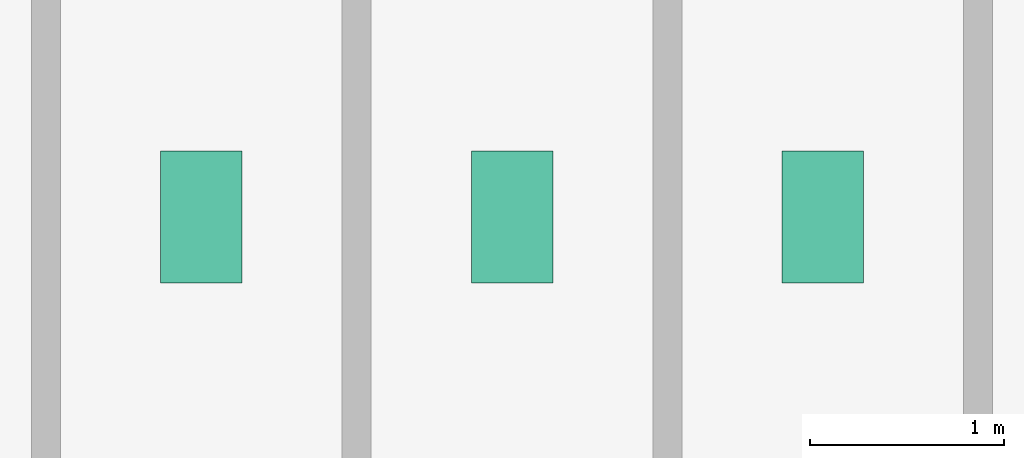
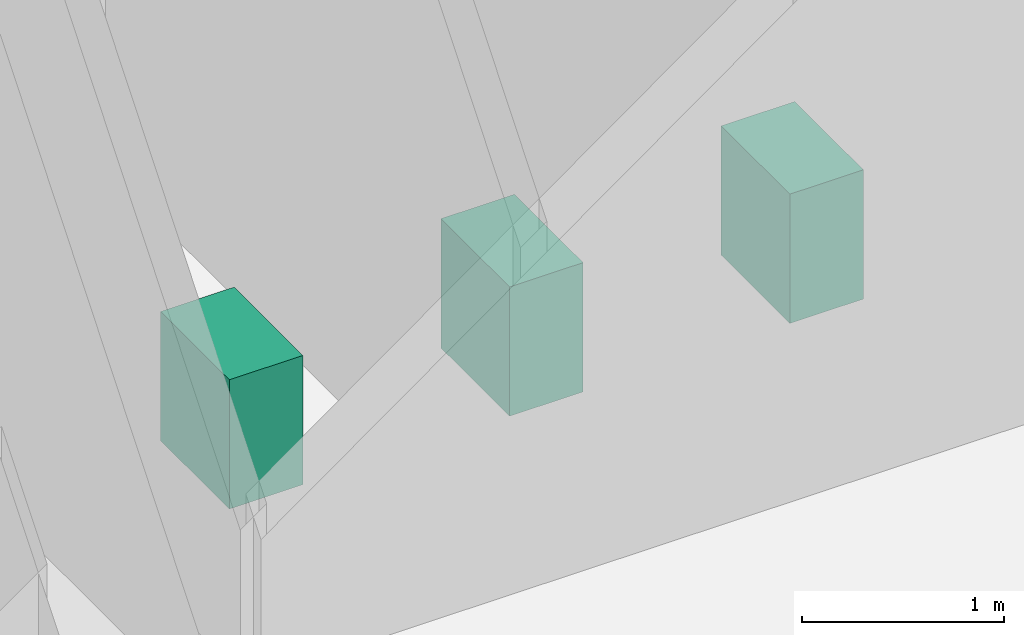
# One storey, part 22 of 22: 3 sanitary terminals.
"""IFC4 building model written with IfcOpenShell, lengths in metres."""

import ifcopenshell
import ifcopenshell.guid

model = None  # the IFC model being written
_history = None  # IfcOwnerHistory: only IFC2X3 demands one
_inside = {}  # id of a spatial element -> (the spatial element, [elements in it])
_under = {}  # id of a project, library or spatial element -> (it, [spatial elements below it])
_declared = {}  # id of a project -> (the project, [libraries it declares])
_typed = {}  # id of a type object -> (the type object, [elements of that type])
_made_of = {}  # id of a material, layer set ... -> (it, [elements and type objects made of it])


def new_model(schema):
    """Start an empty IFC model of exactly this schema.

    Asked for "IFC4X3", IfcOpenShell would pick the latest addendum, in which some entities
    have other attributes; the version numbers below select the first issue.
    IFC2X3 requires an IfcOwnerHistory on every rooted entity: one is made here for all.
    """
    global model, _history
    if schema == "IFC4X3":
        model = ifcopenshell.file(schema_version=(4, 3, 0, 0))
    else:
        model = ifcopenshell.file(schema=schema)
    _inside.clear()
    _under.clear()
    _declared.clear()
    _typed.clear()
    _made_of.clear()
    _history = None
    if model.schema == "IFC2X3":
        org = make("IfcOrganization", Name="unknown")
        user = make(
            "IfcPersonAndOrganization",
            ThePerson=make("IfcPerson", FamilyName="unknown"),
            TheOrganization=org,
        )
        app = make(
            "IfcApplication",
            ApplicationDeveloper=org,
            Version="unknown",
            ApplicationFullName="unknown",
            ApplicationIdentifier="unknown",
        )
        _history = make(
            "IfcOwnerHistory",
            OwningUser=user,
            OwningApplication=app,
            ChangeAction="ADDED",
            CreationDate=0,
        )
    return model


def make(cls, **values):
    """One entity of the class cls with the attributes given. An attribute that is None is left unset."""
    return model.create_entity(
        cls, **{name: value for name, value in values.items() if value is not None}
    )


def rooted(cls, **values):
    """An entity with a GlobalId (a new one), such as an element, a storey or a relation."""
    return make(cls, GlobalId=ifcopenshell.guid.new(), OwnerHistory=_history, **values)


def si_unit(unit_type, name, prefix=None):
    """IfcSIUnit, for example si_unit("LENGTHUNIT", "METRE", prefix="MILLI")."""
    return make("IfcSIUnit", UnitType=unit_type, Prefix=prefix, Name=name)


def derived_unit(unit_type, elements):
    """IfcDerivedUnit: a product of units, each with its exponent."""
    return make(
        "IfcDerivedUnit",
        Elements=[
            make("IfcDerivedUnitElement", Unit=unit, Exponent=power)
            for unit, power in elements
        ],
        UnitType=unit_type,
    )


def assignment(units):
    """IfcUnitAssignment: the units of a project."""
    return None if units is None else make("IfcUnitAssignment", Units=units)


def point(xyz):
    """IfcCartesianPoint."""
    return None if xyz is None else make("IfcCartesianPoint", Coordinates=xyz)


def direction(xyz):
    """IfcDirection."""
    return None if xyz is None else make("IfcDirection", DirectionRatios=xyz)


def frame(location, z_axis=None, x_axis=None):
    """IfcAxis2Placement3D, a coordinate frame: its origin and axes. An axis left out is left unset."""
    return make(
        "IfcAxis2Placement3D",
        Location=point(location),
        Axis=direction(z_axis),
        RefDirection=direction(x_axis),
    )


def frame_2d(location, x_axis=None):
    """IfcAxis2Placement2D, a coordinate frame in the plane: its origin and x axis."""
    return make(
        "IfcAxis2Placement2D", Location=point(location), RefDirection=direction(x_axis)
    )


def origin():
    """The frame at (0, 0, 0) with its axes left unset."""
    return frame((0.0, 0.0, 0.0))


def origin_2d():
    """The frame at (0, 0) in the plane with its x axis left unset."""
    return frame_2d((0.0, 0.0))


def place(relative_to, where):
    """IfcLocalPlacement: puts the frame where relative to a parent placement (None: the world)."""
    return make(
        "IfcLocalPlacement", PlacementRelTo=relative_to, RelativePlacement=where
    )


def context(
    kind, dimensions, precision=None, world=None, true_north=None, identifier=None
):
    """IfcGeometricRepresentationContext, for example the 3D "Model" context."""
    return make(
        "IfcGeometricRepresentationContext",
        ContextIdentifier=identifier,
        ContextType=kind,
        CoordinateSpaceDimension=dimensions,
        Precision=precision,
        WorldCoordinateSystem=world,
        TrueNorth=true_north,
    )


def subcontext(parent, identifier, kind, view, scale=None):
    """IfcGeometricRepresentationSubContext, for example "Body" below "Model"."""
    return make(
        "IfcGeometricRepresentationSubContext",
        ContextIdentifier=identifier,
        ContextType=kind,
        ParentContext=parent,
        TargetScale=scale,
        TargetView=view,
    )


def project(units=None, contexts=None):
    """IfcProject with its units and contexts."""
    return rooted(
        "IfcProject",
        Name="project",
        RepresentationContexts=contexts,
        UnitsInContext=assignment(units),
    )


def spatial(cls, under=None, at=None, **own):
    """A site, building, storey or space (cls), placed at a placement, below another one or the project."""
    s = rooted(cls, ObjectPlacement=at, **own)
    if under is not None:
        _under.setdefault(under.id(), (under, []))[1].append(s)
    return s


def profile(cls, at=None, kind="AREA", **sizes):
    """A parametric profile (cls). Its sizes go by their IFC names, for example OverallWidth=200.0."""
    return make(cls, ProfileType=kind, Position=at, **sizes)


def rectangle(**sizes):
    """IfcRectangleProfileDef."""
    return profile("IfcRectangleProfileDef", **sizes)


def extrude(swept, where, along, depth):
    """IfcExtrudedAreaSolid: the profile swept, set in the frame where, extruded along a direction by depth."""
    return make(
        "IfcExtrudedAreaSolid",
        SweptArea=swept,
        Position=where,
        ExtrudedDirection=direction(along),
        Depth=depth,
    )


def shape(context_of_items, identifier, shape_type, items):
    """IfcShapeRepresentation: the items that make up one representation, for example the "Body"."""
    return make(
        "IfcShapeRepresentation",
        ContextOfItems=context_of_items,
        RepresentationIdentifier=identifier,
        RepresentationType=shape_type,
        Items=items,
    )


def source(mapping_origin, context_of_items, identifier, shape_type, items):
    """IfcRepresentationMap: a shape defined once, which mapped items show again and again."""
    return make(
        "IfcRepresentationMap",
        MappingOrigin=mapping_origin,
        MappedRepresentation=shape(context_of_items, identifier, shape_type, items),
    )


def transform(
    local_origin,
    x_axis=None,
    y_axis=None,
    z_axis=None,
    scale=None,
    scale2=None,
    scale3=None,
    uniform=True,
):
    """IfcCartesianTransformationOperator3D, or its non-uniform kind. x_axis, y_axis, z_axis: its Axis1, 2, 3."""
    if uniform:
        return make(
            "IfcCartesianTransformationOperator3D",
            Axis1=direction(x_axis),
            Axis2=direction(y_axis),
            LocalOrigin=point(local_origin),
            Scale=scale,
            Axis3=direction(z_axis),
        )
    return make(
        "IfcCartesianTransformationOperator3DnonUniform",
        Axis1=direction(x_axis),
        Axis2=direction(y_axis),
        LocalOrigin=point(local_origin),
        Scale=scale,
        Axis3=direction(z_axis),
        Scale2=scale2,
        Scale3=scale3,
    )


def mapped(mapping_source, mapping_target):
    """IfcMappedItem: shows the shape of a source again, moved by a transform."""
    return make(
        "IfcMappedItem", MappingSource=mapping_source, MappingTarget=mapping_target
    )


def material(Name=None, Category=None):
    """IfcMaterial."""
    return make("IfcMaterial", Name=Name, Category=Category)


def made_of(thing, what):
    """Note that an element or type object is made of a material, layer set ...; save() writes the relation."""
    if what is not None:
        _made_of.setdefault(what.id(), (what, []))[1].append(thing)
    return thing


def type_object(cls, material=None, **own):
    """A type object (cls), such as IfcWallType, which elements share."""
    return made_of(rooted(cls, **own), material)


def element(
    cls,
    number,
    at=None,
    inside=None,
    cuts=None,
    type_object=None,
    material=None,
    context=None,
    identifier="Body",
    shape_type=None,
    held_by="IfcProductDefinitionShape",
    body=None,
    shapes=None,
    **own,
):
    """One element of the class cls, such as IfcWall. Its Tag is "e" and its number.

    at: its placement. inside: the storey or other place that contains it. cuts: it is an
    opening in that element (IfcRelVoidsElement). A single representation is given by context,
    identifier, shape_type and body (its items); several are given by shapes. held_by: the class
    of the entity that holds the representations. save() writes the other relations.
    """
    e = rooted(cls, Tag="e%d" % number, ObjectPlacement=at, **own)
    if body is not None:
        shapes = [shape(context, identifier, shape_type, body)]
    if shapes is not None:
        e.Representation = make(held_by, Representations=shapes)
    if inside is not None:
        _inside.setdefault(inside.id(), (inside, []))[1].append(e)
    if cuts is not None:
        rooted(
            "IfcRelVoidsElement", RelatingBuildingElement=cuts, RelatedOpeningElement=e
        )
    if type_object is not None:
        _typed.setdefault(type_object.id(), (type_object, []))[1].append(e)
    return made_of(e, material)


def aggregate(whole, parts):
    """IfcRelAggregates: a whole, such as a stair, and the parts it consists of."""
    return rooted("IfcRelAggregates", RelatingObject=whole, RelatedObjects=parts)


def save(model, path):
    """Write the relations noted so far, then the file.

    IfcRelAggregates (storeys below a building ...), IfcRelContainedInSpatialStructure (elements
    in a storey), IfcRelDefinesByType, IfcRelAssociatesMaterial and IfcRelDeclares: one each for
    every whole, place, type object, material and project.
    """
    for whole, parts in _under.values():
        aggregate(whole, parts)
    for where, things in _inside.values():
        rooted(
            "IfcRelContainedInSpatialStructure",
            RelatedElements=things,
            RelatingStructure=where,
        )
    for kind, things in _typed.values():
        rooted("IfcRelDefinesByType", RelatedObjects=things, RelatingType=kind)
    for what, things in _made_of.values():
        rooted("IfcRelAssociatesMaterial", RelatedObjects=things, RelatingMaterial=what)
    for by, libraries in _declared.values():
        rooted("IfcRelDeclares", RelatingContext=by, RelatedDefinitions=libraries)
    model.write(path)


model = new_model("IFC4")

# Units and contexts
model_context = context("Model", 3, precision=1e-05, world=origin(), true_north=direction((0.0, 1.0)))
body_context = subcontext(model_context, "Body", "Model", "MODEL_VIEW")
ifc_project = project(units=[si_unit("LENGTHUNIT", "METRE"), si_unit("AREAUNIT", "SQUARE_METRE"), si_unit("VOLUMEUNIT", "CUBIC_METRE"), si_unit("PLANEANGLEUNIT", "RADIAN"), si_unit("MASSUNIT", "GRAM", prefix="KILO"), derived_unit("THERMALTRANSMITTANCEUNIT", [(si_unit("POWERUNIT", "WATT"), 1), (si_unit("LENGTHUNIT", "METRE"), -2), (si_unit("THERMODYNAMICTEMPERATUREUNIT", "KELVIN"), -1)])], contexts=[model_context])

# Site, building, storey
site_placement = place(None, origin())
site = spatial("IfcSite", under=ifc_project, at=site_placement, CompositionType="ELEMENT")
building_placement = place(site_placement, origin())
building = spatial("IfcBuilding", under=site, at=building_placement, Name="Skarnbrae Concourse Arena and Tower", CompositionType="ELEMENT")
storey_placement = place(building_placement, frame((0.0, 0.0, 266.10009765625)))
storey = spatial("IfcBuildingStorey", under=building, at=storey_placement, Name="L69", CompositionType="ELEMENT", Elevation=266.10009765625)

# Sanitary terminals
ifc_material = material(Name="Vitreous china sanitaryware", Category="other")
sanitary_terminal_type = type_object("IfcSanitaryTerminalType", Name="SAN-WC-VITREOUS", PredefinedType="TOILETPAN", material=ifc_material)
shared_shape = source(origin(), body_context, "Body", "SweptSolid", [
    extrude(rectangle(XDim=0.419921875, YDim=0.679931640625, at=origin_2d()), origin(), (0.0, 0.0, 1.0), 0.780029296875),
])
for number, where, z_axis, x_axis, name in (
    (1, (35.0, 11.39990234375, 0.0), (0.0, 0.0, 1.0), (1.0, 0.0, 0.0), "L69 Washroom WC fixture 1"),
    (2, (36.60009765625, 11.39990234375, 0.0), (0.0, 0.0, 1.0), (1.0, 0.0, 0.0), "L69 Washroom WC fixture 2"),
    (3, (38.199951171875, 11.39990234375, 0.0), (0.0, 0.0, 1.0), (1.0, 0.0, 0.0), "L69 Washroom WC fixture 3"),
):
    element("IfcSanitaryTerminal", number, at=place(storey_placement, frame(where, z_axis=z_axis, x_axis=x_axis)), inside=storey, type_object=sanitary_terminal_type, Name=name, PredefinedType="TOILETPAN", context=body_context, shape_type="MappedRepresentation", body=[
        mapped(shared_shape, transform((0.0, 0.0, 0.0))),
    ])

save(model, "model.ifc")
